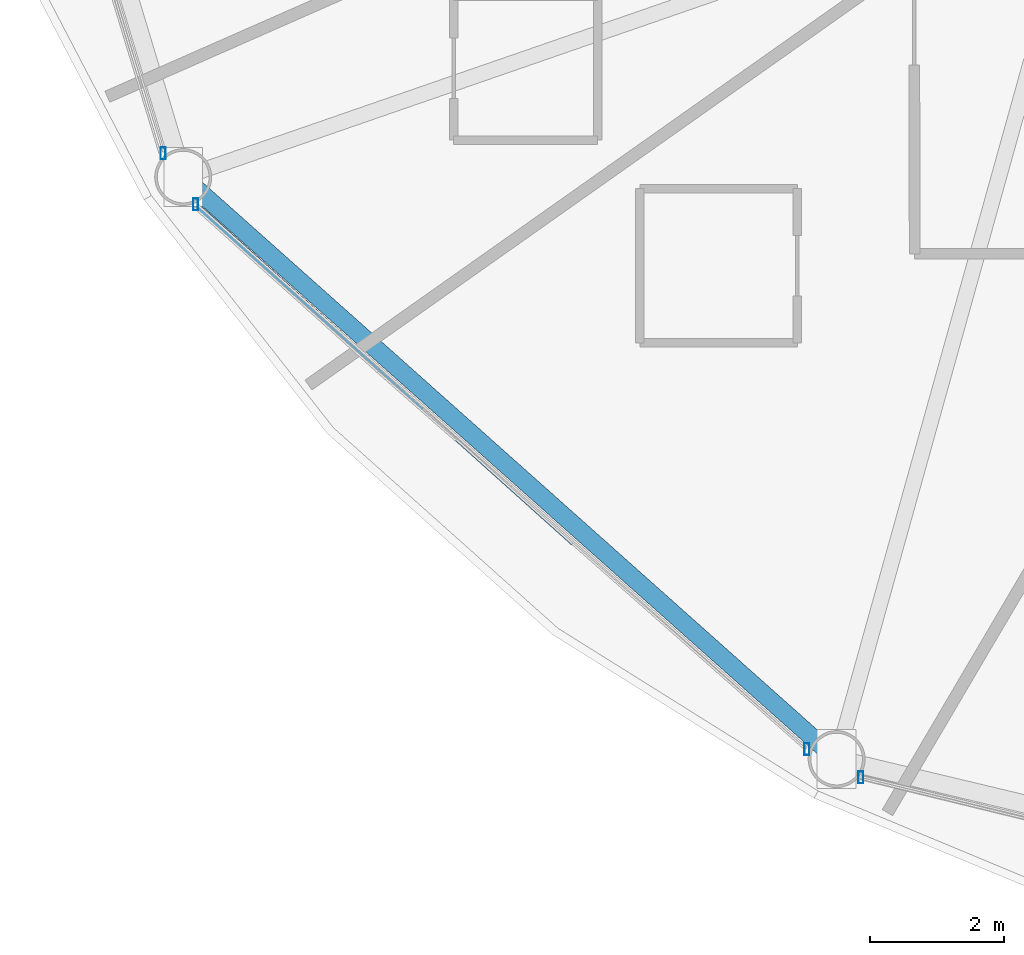
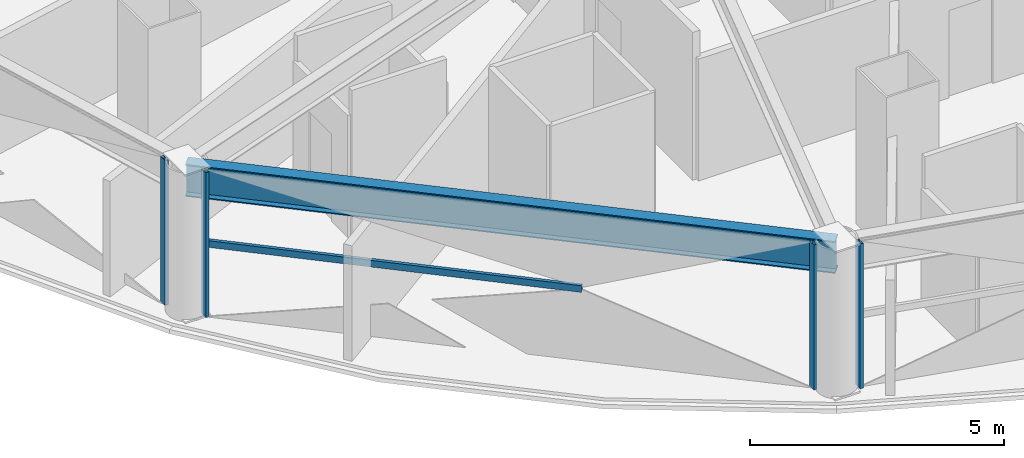
# One storey, part 2 of 32: 5 members, 1 beam, 3 elements without a shape of their own.
"""IFC4 building model written with IfcOpenShell, lengths in metres."""

from ifc_helpers import new_model, si_unit, direction, frame, origin, origin_2d, place, context, subcontext, project, spatial, hollow_rectangle, i_section, extrude, material, layer, layer_set, material_profile, profile_set, type_object, element, aggregate, save


model = new_model("IFC4")

# Units and contexts
model_context = context("Model", 3, precision=1e-05, world=origin(), true_north=direction((0.0, 1.0)))
body_context = subcontext(model_context, "Body", "Model", "MODEL_VIEW")
ifc_project = project(units=[si_unit("LENGTHUNIT", "METRE"), si_unit("AREAUNIT", "SQUARE_METRE"), si_unit("VOLUMEUNIT", "CUBIC_METRE"), si_unit("PLANEANGLEUNIT", "RADIAN"), si_unit("MASSUNIT", "GRAM", prefix="KILO")], contexts=[model_context])

# Site, building, storey
site_placement = place(None, origin())
site = spatial("IfcSite", under=ifc_project, at=site_placement, CompositionType="ELEMENT")
building_placement = place(site_placement, origin())
building = spatial("IfcBuilding", under=site, at=building_placement, Name="Vantalir Tower", CompositionType="ELEMENT")
storey_placement = place(building_placement, frame((0.0, 0.0, 45.75)))
storey = spatial("IfcBuildingStorey", under=building, at=storey_placement, Name="L10", CompositionType="ELEMENT", Elevation=45.75)

# Beam
ifc_material_1 = material(Name="Steel S460", Category="steel")
ifc_material_profile_1 = material_profile(ifc_material_1, i_section(OverallWidth=0.26806640625, OverallDepth=0.77001953125, WebThickness=0.015625, FlangeThickness=0.025390625, at=origin_2d()), Name="Steel S460")
ifc_profile_set_1 = profile_set([ifc_material_profile_1], Name="Steel S460")
beam_type = type_object("IfcBeamType", Name="BM-RG-762x267", PredefinedType="USERDEFINED", material=ifc_profile_set_1)
beam_placement = place(storey_placement, frame((8.429931640625, 13.136962890625, 3.18505859375), z_axis=(0.746746630555, -0.665108615005, 0.0), x_axis=(0.665108615005, 0.746746630555, 0.0)))
element("IfcBeam", 1, at=beam_placement, inside=storey, type_object=beam_type, Name="L10 Circumferential Ring Girder 08", ObjectType="GIRDER", PredefinedType="USERDEFINED", context=body_context, shape_type="SweptSolid", body=[
    extrude(i_section(OverallWidth=0.26806640625, OverallDepth=0.77001953125, WebThickness=0.015625, FlangeThickness=0.025390625, at=origin_2d()), origin(), (0.0, 0.0, 1.0), 13.056640625),
])

# Curtain wall, member
ifc_material_2 = material(Name="Champagne-silver PVDF aluminium and double-silver Low-E glass", Category="aluminium")
ifc_layer = layer(ifc_material_2, 0.18994140625)
ifc_layer_set = layer_set([ifc_layer], Name="Champagne-silver PVDF aluminium and double-silver Low-E glass")
curtain_wall_type = type_object("IfcCurtainWallType", Name="CW-DIAMOND-Z1", PredefinedType="USERDEFINED", material=ifc_layer_set)
curtain_wall_1_placement = place(storey_placement, origin())
curtain_wall_1 = element("IfcCurtainWall", 2, at=curtain_wall_1_placement, inside=storey, type_object=curtain_wall_type, Name="L10 Quilted Pyramid-Diamond Curtain Wall S07", ObjectType="UNITISED CURTAIN WALL", PredefinedType="USERDEFINED")
ifc_material_3 = material(Name="Champagne-silver PVDF aluminium 6063-T6", Category="aluminium")
ifc_material_profile_2 = material_profile(ifc_material_3, hollow_rectangle(XDim=0.074951171875, YDim=0.179931640625, WallThickness=0.00390625, at=origin_2d()), Name="Champagne-silver PVDF aluminium 6063-T6")
ifc_profile_set_2 = profile_set([ifc_material_profile_2], Name="Champagne-silver PVDF aluminium 6063-T6")
member_type_1 = type_object("IfcMemberType", Name="CWM-180x75", PredefinedType="MULLION", material=ifc_profile_set_2)
member_1_placement = place(storey_placement, frame((8.1298828125, 13.491943359375, 0.044921875), z_axis=(0.0, 0.0, 1.0), x_axis=(1.0, 0.0, 0.0)))
member_1 = element("IfcMember", 3, at=member_1_placement, type_object=member_type_1, Name="CW-L10-S07 Mullion 2", PredefinedType="MULLION", context=body_context, shape_type="SweptSolid", body=[
    extrude(hollow_rectangle(XDim=0.074951171875, YDim=0.179931640625, WallThickness=0.00390625, at=origin_2d()), origin(), (0.0, 0.0, 1.0), 3.47998046875),
])
aggregate(curtain_wall_1, [member_1])

# Curtain wall, members
curtain_wall_2_placement = place(storey_placement, origin())
curtain_wall_2 = element("IfcCurtainWall", 4, at=curtain_wall_2_placement, inside=storey, type_object=curtain_wall_type, Name="L10 Quilted Pyramid-Diamond Curtain Wall S08", ObjectType="UNITISED CURTAIN WALL", PredefinedType="USERDEFINED")
member_2_placement = place(storey_placement, frame((8.615966796875, 12.72900390625, 0.044921875), z_axis=(0.0, 0.0, 1.0), x_axis=(1.0, 0.0, 0.0)))
member_2 = element("IfcMember", 5, at=member_2_placement, type_object=member_type_1, Name="CW-L10-S08 Mullion 1", PredefinedType="MULLION", context=body_context, shape_type="SweptSolid", body=[
    extrude(hollow_rectangle(XDim=0.074951171875, YDim=0.179931640625, WallThickness=0.00390625, at=origin_2d()), origin(), (0.0, 0.0, 1.0), 3.47998046875),
])
member_3_placement = place(storey_placement, frame((17.73388671875, 4.60107421875, 0.044921875), z_axis=(0.0, 0.0, 1.0), x_axis=(1.0, 0.0, 0.0)))
member_3 = element("IfcMember", 6, at=member_3_placement, type_object=member_type_1, Name="CW-L10-S08 Mullion 2", PredefinedType="MULLION", context=body_context, shape_type="SweptSolid", body=[
    extrude(hollow_rectangle(XDim=0.074951171875, YDim=0.179931640625, WallThickness=0.00390625, at=origin_2d()), origin(), (0.0, 0.0, 1.0), 3.47998046875),
])

# Curtain wall, member
curtain_wall_3_placement = place(storey_placement, origin())
curtain_wall_3 = element("IfcCurtainWall", 7, at=curtain_wall_3_placement, inside=storey, type_object=curtain_wall_type, Name="L10 Quilted Pyramid-Diamond Curtain Wall S09", ObjectType="UNITISED CURTAIN WALL", PredefinedType="USERDEFINED")
member_4_placement = place(storey_placement, frame((18.5419921875, 4.178955078125, 0.044921875), z_axis=(0.0, 0.0, 1.0), x_axis=(1.0, 0.0, 0.0)))
member_4 = element("IfcMember", 8, at=member_4_placement, type_object=member_type_1, Name="CW-L10-S09 Mullion 1", PredefinedType="MULLION", context=body_context, shape_type="SweptSolid", body=[
    extrude(hollow_rectangle(XDim=0.074951171875, YDim=0.179931640625, WallThickness=0.00390625, at=origin_2d()), origin(), (0.0, 0.0, 1.0), 3.47998046875),
])
aggregate(curtain_wall_3, [member_4])

# Member
ifc_material_profile_3 = material_profile(ifc_material_3, hollow_rectangle(XDim=0.074951171875, YDim=0.159912109375, WallThickness=0.00390625, at=origin_2d()), Name="Champagne-silver PVDF aluminium 6063-T6")
ifc_profile_set_3 = profile_set([ifc_material_profile_3], Name="Champagne-silver PVDF aluminium 6063-T6")
member_type_2 = type_object("IfcMemberType", Name="CWT-160x75", PredefinedType="USERDEFINED", material=ifc_profile_set_3)
member_5_placement = place(storey_placement, frame((8.615966796875, 12.72900390625, 1.784912109375), z_axis=(0.744375429175, -0.667761349915, 0.0), x_axis=(0.667761349915, 0.744375429175, 0.0)))
member_5 = element("IfcMember", 9, at=member_5_placement, type_object=member_type_2, Name="CW-L10-S08 Pyramid Fold Ridge Transom", ObjectType="TRANSOM", PredefinedType="USERDEFINED", context=body_context, shape_type="SweptSolid", body=[
    extrude(hollow_rectangle(XDim=0.074951171875, YDim=0.159912109375, WallThickness=0.00390625, at=origin_2d()), origin(), (0.0, 0.0, 1.0), 7.571533203125),
])

aggregate(curtain_wall_2, [member_2, member_3, member_5])

save(model, "model.ifc")
